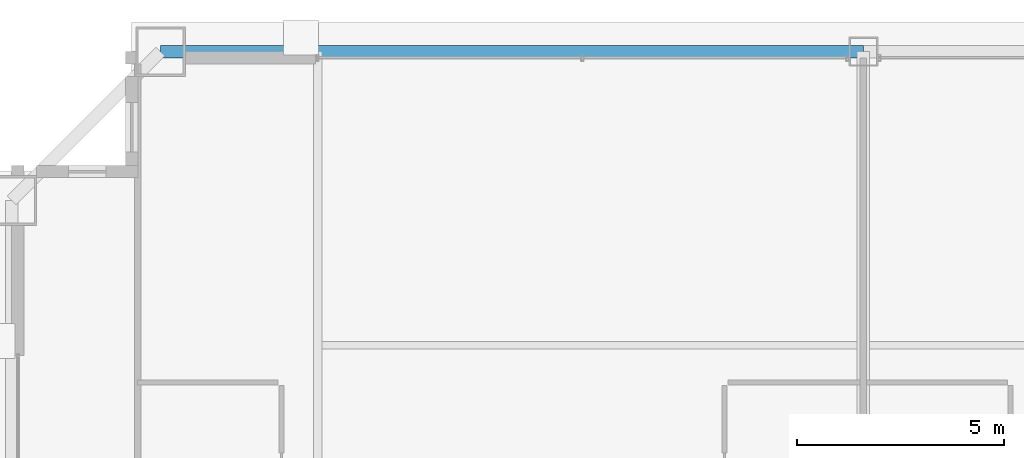
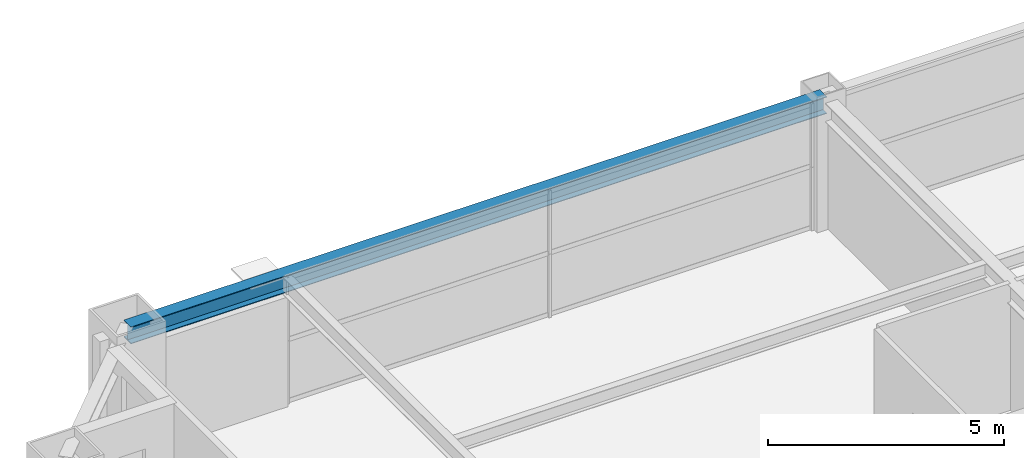
# One storey, part 26 of 37: 1 beam.
"""IFC4 building model written with IfcOpenShell, lengths in metres."""

import ifcopenshell
import ifcopenshell.guid

model = None  # the IFC model being written
_history = None  # IfcOwnerHistory: only IFC2X3 demands one
_inside = {}  # id of a spatial element -> (the spatial element, [elements in it])
_under = {}  # id of a project, library or spatial element -> (it, [spatial elements below it])
_declared = {}  # id of a project -> (the project, [libraries it declares])
_typed = {}  # id of a type object -> (the type object, [elements of that type])
_made_of = {}  # id of a material, layer set ... -> (it, [elements and type objects made of it])


def new_model(schema):
    """Start an empty IFC model of exactly this schema.

    Asked for "IFC4X3", IfcOpenShell would pick the latest addendum, in which some entities
    have other attributes; the version numbers below select the first issue.
    IFC2X3 requires an IfcOwnerHistory on every rooted entity: one is made here for all.
    """
    global model, _history
    if schema == "IFC4X3":
        model = ifcopenshell.file(schema_version=(4, 3, 0, 0))
    else:
        model = ifcopenshell.file(schema=schema)
    _inside.clear()
    _under.clear()
    _declared.clear()
    _typed.clear()
    _made_of.clear()
    _history = None
    if model.schema == "IFC2X3":
        org = make("IfcOrganization", Name="unknown")
        user = make(
            "IfcPersonAndOrganization",
            ThePerson=make("IfcPerson", FamilyName="unknown"),
            TheOrganization=org,
        )
        app = make(
            "IfcApplication",
            ApplicationDeveloper=org,
            Version="unknown",
            ApplicationFullName="unknown",
            ApplicationIdentifier="unknown",
        )
        _history = make(
            "IfcOwnerHistory",
            OwningUser=user,
            OwningApplication=app,
            ChangeAction="ADDED",
            CreationDate=0,
        )
    return model


def make(cls, **values):
    """One entity of the class cls with the attributes given. An attribute that is None is left unset."""
    return model.create_entity(
        cls, **{name: value for name, value in values.items() if value is not None}
    )


def rooted(cls, **values):
    """An entity with a GlobalId (a new one), such as an element, a storey or a relation."""
    return make(cls, GlobalId=ifcopenshell.guid.new(), OwnerHistory=_history, **values)


def si_unit(unit_type, name, prefix=None):
    """IfcSIUnit, for example si_unit("LENGTHUNIT", "METRE", prefix="MILLI")."""
    return make("IfcSIUnit", UnitType=unit_type, Prefix=prefix, Name=name)


def assignment(units):
    """IfcUnitAssignment: the units of a project."""
    return None if units is None else make("IfcUnitAssignment", Units=units)


def point(xyz):
    """IfcCartesianPoint."""
    return None if xyz is None else make("IfcCartesianPoint", Coordinates=xyz)


def direction(xyz):
    """IfcDirection."""
    return None if xyz is None else make("IfcDirection", DirectionRatios=xyz)


def frame(location, z_axis=None, x_axis=None):
    """IfcAxis2Placement3D, a coordinate frame: its origin and axes. An axis left out is left unset."""
    return make(
        "IfcAxis2Placement3D",
        Location=point(location),
        Axis=direction(z_axis),
        RefDirection=direction(x_axis),
    )


def frame_2d(location, x_axis=None):
    """IfcAxis2Placement2D, a coordinate frame in the plane: its origin and x axis."""
    return make(
        "IfcAxis2Placement2D", Location=point(location), RefDirection=direction(x_axis)
    )


def origin():
    """The frame at (0, 0, 0) with its axes left unset."""
    return frame((0.0, 0.0, 0.0))


def origin_2d():
    """The frame at (0, 0) in the plane with its x axis left unset."""
    return frame_2d((0.0, 0.0))


def place(relative_to, where):
    """IfcLocalPlacement: puts the frame where relative to a parent placement (None: the world)."""
    return make(
        "IfcLocalPlacement", PlacementRelTo=relative_to, RelativePlacement=where
    )


def context(
    kind, dimensions, precision=None, world=None, true_north=None, identifier=None
):
    """IfcGeometricRepresentationContext, for example the 3D "Model" context."""
    return make(
        "IfcGeometricRepresentationContext",
        ContextIdentifier=identifier,
        ContextType=kind,
        CoordinateSpaceDimension=dimensions,
        Precision=precision,
        WorldCoordinateSystem=world,
        TrueNorth=true_north,
    )


def subcontext(parent, identifier, kind, view, scale=None):
    """IfcGeometricRepresentationSubContext, for example "Body" below "Model"."""
    return make(
        "IfcGeometricRepresentationSubContext",
        ContextIdentifier=identifier,
        ContextType=kind,
        ParentContext=parent,
        TargetScale=scale,
        TargetView=view,
    )


def project(units=None, contexts=None):
    """IfcProject with its units and contexts."""
    return rooted(
        "IfcProject",
        Name="project",
        RepresentationContexts=contexts,
        UnitsInContext=assignment(units),
    )


def spatial(cls, under=None, at=None, **own):
    """A site, building, storey or space (cls), placed at a placement, below another one or the project."""
    s = rooted(cls, ObjectPlacement=at, **own)
    if under is not None:
        _under.setdefault(under.id(), (under, []))[1].append(s)
    return s


def profile(cls, at=None, kind="AREA", **sizes):
    """A parametric profile (cls). Its sizes go by their IFC names, for example OverallWidth=200.0."""
    return make(cls, ProfileType=kind, Position=at, **sizes)


def i_section(**sizes):
    """IfcIShapeProfileDef."""
    return profile("IfcIShapeProfileDef", **sizes)


def extrude(swept, where, along, depth):
    """IfcExtrudedAreaSolid: the profile swept, set in the frame where, extruded along a direction by depth."""
    return make(
        "IfcExtrudedAreaSolid",
        SweptArea=swept,
        Position=where,
        ExtrudedDirection=direction(along),
        Depth=depth,
    )


def shape(context_of_items, identifier, shape_type, items):
    """IfcShapeRepresentation: the items that make up one representation, for example the "Body"."""
    return make(
        "IfcShapeRepresentation",
        ContextOfItems=context_of_items,
        RepresentationIdentifier=identifier,
        RepresentationType=shape_type,
        Items=items,
    )


def source(mapping_origin, context_of_items, identifier, shape_type, items):
    """IfcRepresentationMap: a shape defined once, which mapped items show again and again."""
    return make(
        "IfcRepresentationMap",
        MappingOrigin=mapping_origin,
        MappedRepresentation=shape(context_of_items, identifier, shape_type, items),
    )


def transform(
    local_origin,
    x_axis=None,
    y_axis=None,
    z_axis=None,
    scale=None,
    scale2=None,
    scale3=None,
    uniform=True,
):
    """IfcCartesianTransformationOperator3D, or its non-uniform kind. x_axis, y_axis, z_axis: its Axis1, 2, 3."""
    if uniform:
        return make(
            "IfcCartesianTransformationOperator3D",
            Axis1=direction(x_axis),
            Axis2=direction(y_axis),
            LocalOrigin=point(local_origin),
            Scale=scale,
            Axis3=direction(z_axis),
        )
    return make(
        "IfcCartesianTransformationOperator3DnonUniform",
        Axis1=direction(x_axis),
        Axis2=direction(y_axis),
        LocalOrigin=point(local_origin),
        Scale=scale,
        Axis3=direction(z_axis),
        Scale2=scale2,
        Scale3=scale3,
    )


def mapped(mapping_source, mapping_target):
    """IfcMappedItem: shows the shape of a source again, moved by a transform."""
    return make(
        "IfcMappedItem", MappingSource=mapping_source, MappingTarget=mapping_target
    )


def material(Name=None, Category=None):
    """IfcMaterial."""
    return make("IfcMaterial", Name=Name, Category=Category)


def material_profile(
    of_material, cross_section, Name=None, Category=None, Priority=None
):
    """IfcMaterialProfile: a cross section and its material."""
    return make(
        "IfcMaterialProfile",
        Name=Name,
        Material=of_material,
        Profile=cross_section,
        Priority=Priority,
        Category=Category,
    )


def profile_set(profiles, Name=None, composite=None):
    """IfcMaterialProfileSet."""
    return make(
        "IfcMaterialProfileSet",
        Name=Name,
        MaterialProfiles=profiles,
        CompositeProfile=composite,
    )


def made_of(thing, what):
    """Note that an element or type object is made of a material, layer set ...; save() writes the relation."""
    if what is not None:
        _made_of.setdefault(what.id(), (what, []))[1].append(thing)
    return thing


def type_object(cls, material=None, **own):
    """A type object (cls), such as IfcWallType, which elements share."""
    return made_of(rooted(cls, **own), material)


def element(
    cls,
    number,
    at=None,
    inside=None,
    cuts=None,
    type_object=None,
    material=None,
    context=None,
    identifier="Body",
    shape_type=None,
    held_by="IfcProductDefinitionShape",
    body=None,
    shapes=None,
    **own,
):
    """One element of the class cls, such as IfcWall. Its Tag is "e" and its number.

    at: its placement. inside: the storey or other place that contains it. cuts: it is an
    opening in that element (IfcRelVoidsElement). A single representation is given by context,
    identifier, shape_type and body (its items); several are given by shapes. held_by: the class
    of the entity that holds the representations. save() writes the other relations.
    """
    e = rooted(cls, Tag="e%d" % number, ObjectPlacement=at, **own)
    if body is not None:
        shapes = [shape(context, identifier, shape_type, body)]
    if shapes is not None:
        e.Representation = make(held_by, Representations=shapes)
    if inside is not None:
        _inside.setdefault(inside.id(), (inside, []))[1].append(e)
    if cuts is not None:
        rooted(
            "IfcRelVoidsElement", RelatingBuildingElement=cuts, RelatedOpeningElement=e
        )
    if type_object is not None:
        _typed.setdefault(type_object.id(), (type_object, []))[1].append(e)
    return made_of(e, material)


def aggregate(whole, parts):
    """IfcRelAggregates: a whole, such as a stair, and the parts it consists of."""
    return rooted("IfcRelAggregates", RelatingObject=whole, RelatedObjects=parts)


def save(model, path):
    """Write the relations noted so far, then the file.

    IfcRelAggregates (storeys below a building ...), IfcRelContainedInSpatialStructure (elements
    in a storey), IfcRelDefinesByType, IfcRelAssociatesMaterial and IfcRelDeclares: one each for
    every whole, place, type object, material and project.
    """
    for whole, parts in _under.values():
        aggregate(whole, parts)
    for where, things in _inside.values():
        rooted(
            "IfcRelContainedInSpatialStructure",
            RelatedElements=things,
            RelatingStructure=where,
        )
    for kind, things in _typed.values():
        rooted("IfcRelDefinesByType", RelatedObjects=things, RelatingType=kind)
    for what, things in _made_of.values():
        rooted("IfcRelAssociatesMaterial", RelatedObjects=things, RelatingMaterial=what)
    for by, libraries in _declared.values():
        rooted("IfcRelDeclares", RelatingContext=by, RelatedDefinitions=libraries)
    model.write(path)


model = new_model("IFC4")

# Units and contexts
model_context = context("Model", 3, precision=1e-05, world=origin(), true_north=direction((0.0, 1.0)))
body_context = subcontext(model_context, "Body", "Model", "MODEL_VIEW")
ifc_project = project(units=[si_unit("LENGTHUNIT", "METRE"), si_unit("AREAUNIT", "SQUARE_METRE"), si_unit("VOLUMEUNIT", "CUBIC_METRE"), si_unit("PLANEANGLEUNIT", "RADIAN"), si_unit("MASSUNIT", "GRAM", prefix="KILO"), si_unit("THERMODYNAMICTEMPERATUREUNIT", "KELVIN"), si_unit("POWERUNIT", "WATT")], contexts=[model_context])

# Site, building, storey
site_placement = place(None, origin())
site = spatial("IfcSite", under=ifc_project, at=site_placement, CompositionType="ELEMENT")
building_placement = place(site_placement, origin())
building = spatial("IfcBuilding", under=site, at=building_placement, Name="Yuzanri Waterfront Tower", CompositionType="ELEMENT")
storey_placement = place(building_placement, frame((0.0, 0.0, 268.10009765625)))
storey = spatial("IfcBuildingStorey", under=building, at=storey_placement, Name="L71", CompositionType="ELEMENT", Elevation=268.10009765625)

# Beam
ifc_material = material(Name="Steel Q355B", Category="steel")
ifc_material_profile = material_profile(ifc_material, i_section(OverallWidth=0.300048828125, OverallDepth=0.43994140625, WebThickness=0.010986328125, FlangeThickness=0.01806640625, at=origin_2d()), Name="HM 440x300x11x18")
ifc_profile_set = profile_set([ifc_material_profile], Name="Steel Q355B")
beam_type = type_object("IfcBeamType", Name="Perimeter Spandrel Q355B HM 440x300", PredefinedType="SPANDREL", material=ifc_profile_set)
shared_shape = source(origin(), body_context, "Body", "SweptSolid", [
    extrude(i_section(OverallWidth=0.300048828125, OverallDepth=0.43994140625, WebThickness=0.010986328125, FlangeThickness=0.01806640625, at=origin_2d()), origin(), (0.0, 0.0, 1.0), 17.0),
])
beam_placement = place(storey_placement, frame((37.0, 46.39990234375, 3.059814453125), z_axis=(-1.0, 0.0, 0.0), x_axis=(0.0, -1.0, 0.0)))
element("IfcBeam", 1, at=beam_placement, inside=storey, type_object=beam_type, Name="L71 Perimeter Spandrel N2-N1", PredefinedType="SPANDREL", context=body_context, shape_type="MappedRepresentation", body=[
    mapped(shared_shape, transform((0.0, 0.0, 0.0), scale=1.0)),
])

save(model, "model.ifc")
